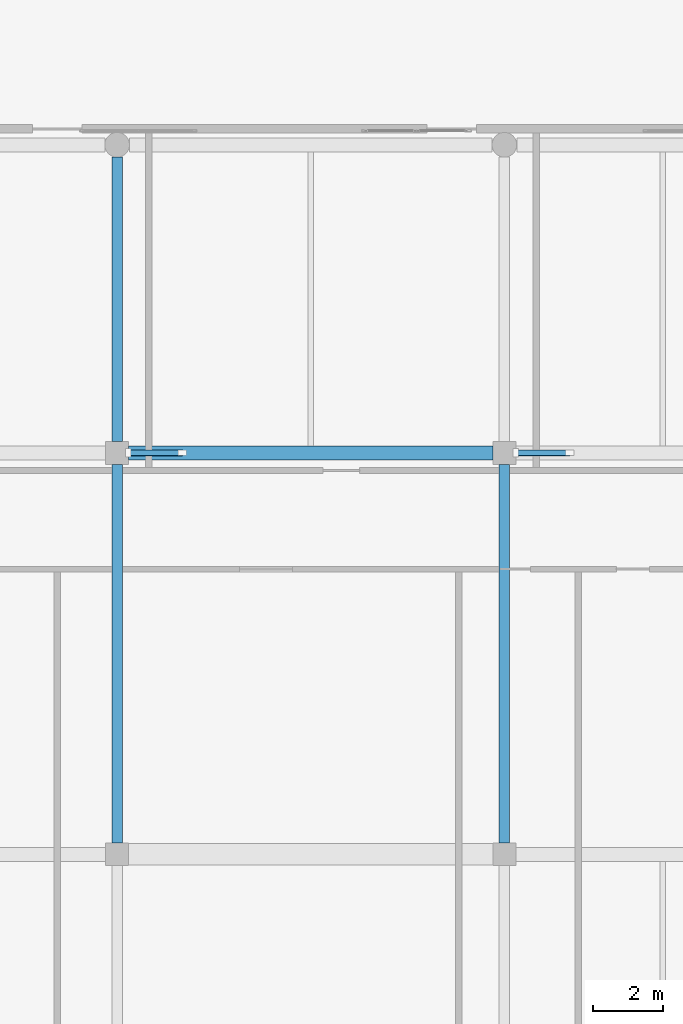
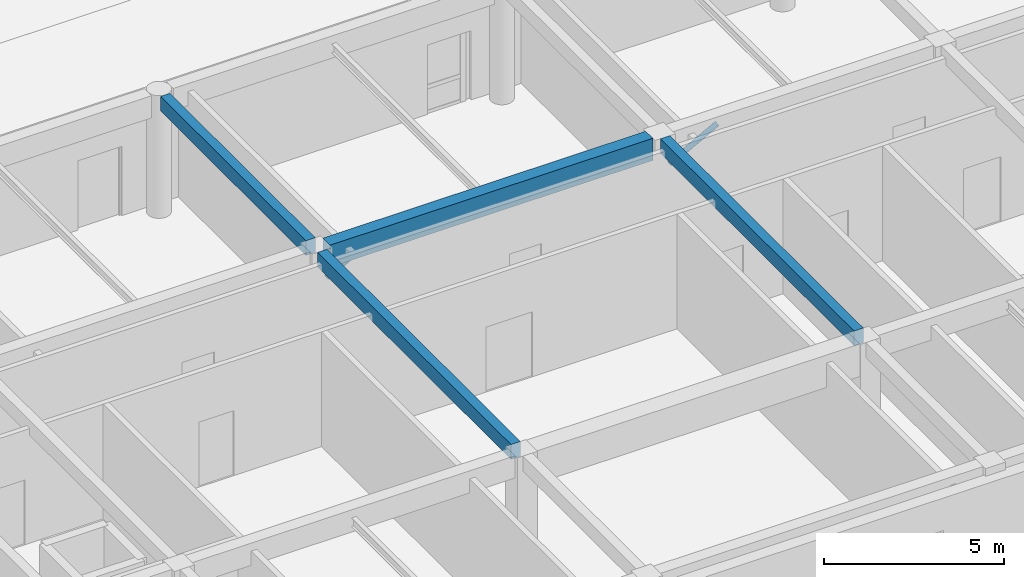
# One storey, part 45 of 114: 4 beams, 2 members.
"""IFC4 building model written with IfcOpenShell, lengths in metres."""

from ifc_helpers import new_model, si_unit, direction, frame, origin, origin_2d, place, context, subcontext, project, spatial, rectangle, hollow_circle, extrude, material, material_profile, profile_set, type_object, element, save


model = new_model("IFC4")

# Units and contexts
model_context = context("Model", 3, precision=1e-05, world=origin(), true_north=direction((0.0, 1.0)))
body_context = subcontext(model_context, "Body", "Model", "MODEL_VIEW")
ifc_project = project(units=[si_unit("LENGTHUNIT", "METRE"), si_unit("AREAUNIT", "SQUARE_METRE"), si_unit("VOLUMEUNIT", "CUBIC_METRE"), si_unit("PLANEANGLEUNIT", "RADIAN"), si_unit("MASSUNIT", "GRAM", prefix="KILO")], contexts=[model_context])

# Site, building, storey
site_placement = place(None, origin())
site = spatial("IfcSite", under=ifc_project, at=site_placement, CompositionType="ELEMENT")
building_placement = place(site_placement, origin())
building = spatial("IfcBuilding", under=site, at=building_placement, Name="Keldmere Railside Commons", CompositionType="ELEMENT")
storey_placement = place(building_placement, origin())
storey = spatial("IfcBuildingStorey", under=building, at=storey_placement, Name="L00", CompositionType="ELEMENT", Elevation=0.0)

# Members
ifc_material_1 = material(Name="Steel F-36 (S355)", Category="steel")
ifc_material_profile_1 = material_profile(ifc_material_1, hollow_circle(Radius=0.083984375, WallThickness=0.008056640625, at=origin_2d()), Name="CHS-168x8")
ifc_profile_set_1 = profile_set([ifc_material_profile_1], Name="Steel F-36 (S355)")
member_type = type_object("IfcMemberType", Name="Arcade Portal Knee Brace CHS168", PredefinedType="BRACE", material=ifc_profile_set_1)
for number, where, z_axis, x_axis, name in (
    (1, (148.320068359375, 30.800048828125, 2.949951171875), (0.878976059139, 0.0, 0.476865900921), (0.0, 1.0, 0.0), "BR-2 MEM-ABR-054"),
    (2, (159.320068359375, 30.800048828125, 2.949951171875), (0.878976059139, 0.0, 0.476865900921), (0.0, 1.0, 0.0), "BR-2 MEM-ABR-055"),
):
    element("IfcMember", number, at=place(storey_placement, frame(where, z_axis=z_axis, x_axis=x_axis)), inside=storey, type_object=member_type, Name=name, PredefinedType="BRACE", context=body_context, shape_type="SweptSolid", body=[
        extrude(hollow_circle(Radius=0.083984375, WallThickness=0.008056640625, at=origin_2d()), origin(), (0.0, 0.0, 1.0), 1.74072265625),
    ])

# Beams
ifc_material_2 = material(Name="Concrete H-35 (C35/45)", Category="concrete")
ifc_material_profile_2 = material_profile(ifc_material_2, rectangle(XDim=0.39990234375, YDim=0.75, at=origin_2d()), Name="RC-400x750")
ifc_profile_set_2 = profile_set([ifc_material_profile_2], Name="Concrete H-35 (C35/45)")
beam_type_1 = type_object("IfcBeamType", Name="Civic Frame RC Girder 400x750", PredefinedType="BEAM", material=ifc_profile_set_2)
beam_1_placement = place(storey_placement, frame((148.324951171875, 30.800048828125, 3.784912109375), z_axis=(1.0, 0.0, 0.0), x_axis=(0.0, 1.0, 0.0)))
element("IfcBeam", 3, at=beam_1_placement, inside=storey, type_object=beam_type_1, Name="BG-2 BM-L00-0442", PredefinedType="BEAM", context=body_context, shape_type="SweptSolid", body=[
    extrude(rectangle(XDim=0.39990234375, YDim=0.75, at=origin_2d()), origin(), (0.0, 0.0, 1.0), 10.35009765625),
])
ifc_material_3 = material(Name="Concrete H-30 (C30/37)", Category="concrete")
ifc_material_profile_3 = material_profile(ifc_material_3, rectangle(XDim=0.300048828125, YDim=0.5, at=origin_2d()), Name="RC-300x500")
ifc_profile_set_3 = profile_set([ifc_material_profile_3], Name="Concrete H-30 (C30/37)")
beam_type_2 = type_object("IfcBeamType", Name="Secondary Frame RC Beam 300x500", PredefinedType="BEAM", material=ifc_profile_set_3)
beam_2_placement = place(storey_placement, frame((148.0, 19.72509765625, 3.909912109375), z_axis=(0.0, 1.0, 0.0), x_axis=(-1.0, 0.0, 0.0)))
element("IfcBeam", 4, at=beam_2_placement, inside=storey, type_object=beam_type_2, Name="BG-5 BM-L00-0642", PredefinedType="BEAM", context=body_context, shape_type="SweptSolid", body=[
    extrude(rectangle(XDim=0.300048828125, YDim=0.5, at=origin_2d()), origin(), (0.0, 0.0, 1.0), 10.75),
])
beam_3_placement = place(storey_placement, frame((148.0, 31.125, 3.909912109375), z_axis=(0.0, 1.0, 0.0), x_axis=(-1.0, 0.0, 0.0)))
element("IfcBeam", 5, at=beam_3_placement, inside=storey, type_object=beam_type_2, Name="BG-5 BM-L00-0643", PredefinedType="BEAM", context=body_context, shape_type="SweptSolid", body=[
    extrude(rectangle(XDim=0.300048828125, YDim=0.5, at=origin_2d()), origin(), (0.0, 0.0, 1.0), 8.074951171875),
])
beam_4_placement = place(storey_placement, frame((159.0, 19.72509765625, 3.909912109375), z_axis=(0.0, 1.0, 0.0), x_axis=(-1.0, 0.0, 0.0)))
element("IfcBeam", 6, at=beam_4_placement, inside=storey, type_object=beam_type_2, Name="BG-5 BM-L00-0646", PredefinedType="BEAM", context=body_context, shape_type="SweptSolid", body=[
    extrude(rectangle(XDim=0.300048828125, YDim=0.5, at=origin_2d()), origin(), (0.0, 0.0, 1.0), 10.75),
])

save(model, "model.ifc")
